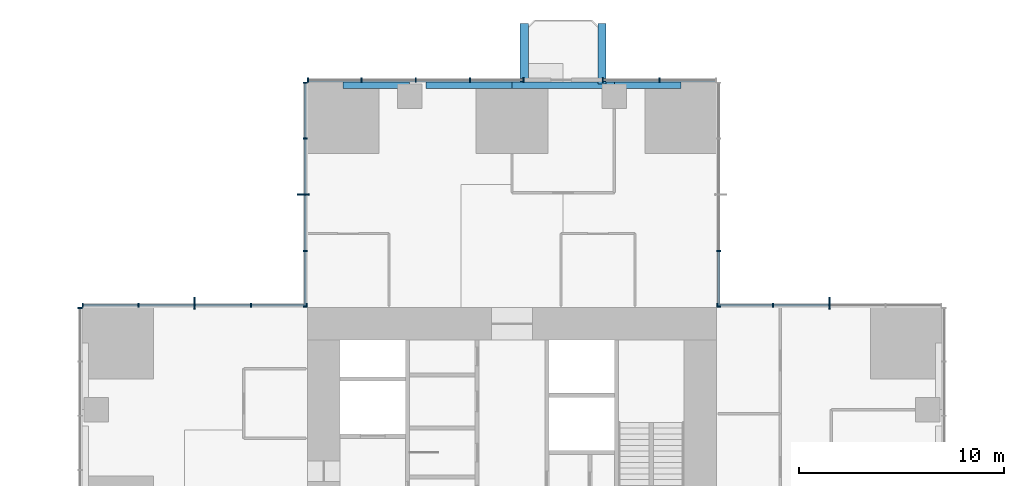
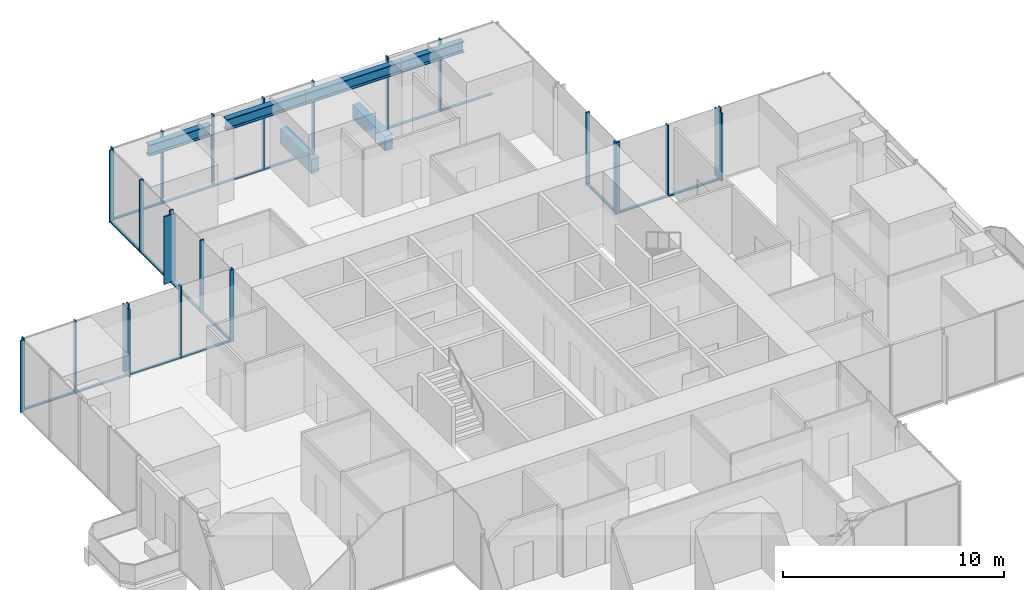
# One storey, part 5 of 13: 43 members, 6 beams, 7 elements without a shape of their own.
"""IFC4 building model written with IfcOpenShell, lengths in metres."""

import ifcopenshell
import ifcopenshell.guid

model = None  # the IFC model being written
_history = None  # IfcOwnerHistory: only IFC2X3 demands one
_inside = {}  # id of a spatial element -> (the spatial element, [elements in it])
_under = {}  # id of a project, library or spatial element -> (it, [spatial elements below it])
_declared = {}  # id of a project -> (the project, [libraries it declares])
_typed = {}  # id of a type object -> (the type object, [elements of that type])
_made_of = {}  # id of a material, layer set ... -> (it, [elements and type objects made of it])


def new_model(schema):
    """Start an empty IFC model of exactly this schema.

    Asked for "IFC4X3", IfcOpenShell would pick the latest addendum, in which some entities
    have other attributes; the version numbers below select the first issue.
    IFC2X3 requires an IfcOwnerHistory on every rooted entity: one is made here for all.
    """
    global model, _history
    if schema == "IFC4X3":
        model = ifcopenshell.file(schema_version=(4, 3, 0, 0))
    else:
        model = ifcopenshell.file(schema=schema)
    _inside.clear()
    _under.clear()
    _declared.clear()
    _typed.clear()
    _made_of.clear()
    _history = None
    if model.schema == "IFC2X3":
        org = make("IfcOrganization", Name="unknown")
        user = make(
            "IfcPersonAndOrganization",
            ThePerson=make("IfcPerson", FamilyName="unknown"),
            TheOrganization=org,
        )
        app = make(
            "IfcApplication",
            ApplicationDeveloper=org,
            Version="unknown",
            ApplicationFullName="unknown",
            ApplicationIdentifier="unknown",
        )
        _history = make(
            "IfcOwnerHistory",
            OwningUser=user,
            OwningApplication=app,
            ChangeAction="ADDED",
            CreationDate=0,
        )
    return model


def make(cls, **values):
    """One entity of the class cls with the attributes given. An attribute that is None is left unset."""
    return model.create_entity(
        cls, **{name: value for name, value in values.items() if value is not None}
    )


def rooted(cls, **values):
    """An entity with a GlobalId (a new one), such as an element, a storey or a relation."""
    return make(cls, GlobalId=ifcopenshell.guid.new(), OwnerHistory=_history, **values)


def si_unit(unit_type, name, prefix=None):
    """IfcSIUnit, for example si_unit("LENGTHUNIT", "METRE", prefix="MILLI")."""
    return make("IfcSIUnit", UnitType=unit_type, Prefix=prefix, Name=name)


def assignment(units):
    """IfcUnitAssignment: the units of a project."""
    return None if units is None else make("IfcUnitAssignment", Units=units)


def point(xyz):
    """IfcCartesianPoint."""
    return None if xyz is None else make("IfcCartesianPoint", Coordinates=xyz)


def direction(xyz):
    """IfcDirection."""
    return None if xyz is None else make("IfcDirection", DirectionRatios=xyz)


def frame(location, z_axis=None, x_axis=None):
    """IfcAxis2Placement3D, a coordinate frame: its origin and axes. An axis left out is left unset."""
    return make(
        "IfcAxis2Placement3D",
        Location=point(location),
        Axis=direction(z_axis),
        RefDirection=direction(x_axis),
    )


def frame_2d(location, x_axis=None):
    """IfcAxis2Placement2D, a coordinate frame in the plane: its origin and x axis."""
    return make(
        "IfcAxis2Placement2D", Location=point(location), RefDirection=direction(x_axis)
    )


def origin():
    """The frame at (0, 0, 0) with its axes left unset."""
    return frame((0.0, 0.0, 0.0))


def origin_2d():
    """The frame at (0, 0) in the plane with its x axis left unset."""
    return frame_2d((0.0, 0.0))


def place(relative_to, where):
    """IfcLocalPlacement: puts the frame where relative to a parent placement (None: the world)."""
    return make(
        "IfcLocalPlacement", PlacementRelTo=relative_to, RelativePlacement=where
    )


def context(
    kind, dimensions, precision=None, world=None, true_north=None, identifier=None
):
    """IfcGeometricRepresentationContext, for example the 3D "Model" context."""
    return make(
        "IfcGeometricRepresentationContext",
        ContextIdentifier=identifier,
        ContextType=kind,
        CoordinateSpaceDimension=dimensions,
        Precision=precision,
        WorldCoordinateSystem=world,
        TrueNorth=true_north,
    )


def subcontext(parent, identifier, kind, view, scale=None):
    """IfcGeometricRepresentationSubContext, for example "Body" below "Model"."""
    return make(
        "IfcGeometricRepresentationSubContext",
        ContextIdentifier=identifier,
        ContextType=kind,
        ParentContext=parent,
        TargetScale=scale,
        TargetView=view,
    )


def project(units=None, contexts=None):
    """IfcProject with its units and contexts."""
    return rooted(
        "IfcProject",
        Name="project",
        RepresentationContexts=contexts,
        UnitsInContext=assignment(units),
    )


def spatial(cls, under=None, at=None, **own):
    """A site, building, storey or space (cls), placed at a placement, below another one or the project."""
    s = rooted(cls, ObjectPlacement=at, **own)
    if under is not None:
        _under.setdefault(under.id(), (under, []))[1].append(s)
    return s


def profile(cls, at=None, kind="AREA", **sizes):
    """A parametric profile (cls). Its sizes go by their IFC names, for example OverallWidth=200.0."""
    return make(cls, ProfileType=kind, Position=at, **sizes)


def rectangle(**sizes):
    """IfcRectangleProfileDef."""
    return profile("IfcRectangleProfileDef", **sizes)


def i_section(**sizes):
    """IfcIShapeProfileDef."""
    return profile("IfcIShapeProfileDef", **sizes)


def extrude(swept, where, along, depth):
    """IfcExtrudedAreaSolid: the profile swept, set in the frame where, extruded along a direction by depth."""
    return make(
        "IfcExtrudedAreaSolid",
        SweptArea=swept,
        Position=where,
        ExtrudedDirection=direction(along),
        Depth=depth,
    )


def shape(context_of_items, identifier, shape_type, items):
    """IfcShapeRepresentation: the items that make up one representation, for example the "Body"."""
    return make(
        "IfcShapeRepresentation",
        ContextOfItems=context_of_items,
        RepresentationIdentifier=identifier,
        RepresentationType=shape_type,
        Items=items,
    )


def material(Name=None, Category=None):
    """IfcMaterial."""
    return make("IfcMaterial", Name=Name, Category=Category)


def material_profile(
    of_material, cross_section, Name=None, Category=None, Priority=None
):
    """IfcMaterialProfile: a cross section and its material."""
    return make(
        "IfcMaterialProfile",
        Name=Name,
        Material=of_material,
        Profile=cross_section,
        Priority=Priority,
        Category=Category,
    )


def profile_set(profiles, Name=None, composite=None):
    """IfcMaterialProfileSet."""
    return make(
        "IfcMaterialProfileSet",
        Name=Name,
        MaterialProfiles=profiles,
        CompositeProfile=composite,
    )


def made_of(thing, what):
    """Note that an element or type object is made of a material, layer set ...; save() writes the relation."""
    if what is not None:
        _made_of.setdefault(what.id(), (what, []))[1].append(thing)
    return thing


def type_object(cls, material=None, **own):
    """A type object (cls), such as IfcWallType, which elements share."""
    return made_of(rooted(cls, **own), material)


def element(
    cls,
    number,
    at=None,
    inside=None,
    cuts=None,
    type_object=None,
    material=None,
    context=None,
    identifier="Body",
    shape_type=None,
    held_by="IfcProductDefinitionShape",
    body=None,
    shapes=None,
    **own,
):
    """One element of the class cls, such as IfcWall. Its Tag is "e" and its number.

    at: its placement. inside: the storey or other place that contains it. cuts: it is an
    opening in that element (IfcRelVoidsElement). A single representation is given by context,
    identifier, shape_type and body (its items); several are given by shapes. held_by: the class
    of the entity that holds the representations. save() writes the other relations.
    """
    e = rooted(cls, Tag="e%d" % number, ObjectPlacement=at, **own)
    if body is not None:
        shapes = [shape(context, identifier, shape_type, body)]
    if shapes is not None:
        e.Representation = make(held_by, Representations=shapes)
    if inside is not None:
        _inside.setdefault(inside.id(), (inside, []))[1].append(e)
    if cuts is not None:
        rooted(
            "IfcRelVoidsElement", RelatingBuildingElement=cuts, RelatedOpeningElement=e
        )
    if type_object is not None:
        _typed.setdefault(type_object.id(), (type_object, []))[1].append(e)
    return made_of(e, material)


def aggregate(whole, parts):
    """IfcRelAggregates: a whole, such as a stair, and the parts it consists of."""
    return rooted("IfcRelAggregates", RelatingObject=whole, RelatedObjects=parts)


def save(model, path):
    """Write the relations noted so far, then the file.

    IfcRelAggregates (storeys below a building ...), IfcRelContainedInSpatialStructure (elements
    in a storey), IfcRelDefinesByType, IfcRelAssociatesMaterial and IfcRelDeclares: one each for
    every whole, place, type object, material and project.
    """
    for whole, parts in _under.values():
        aggregate(whole, parts)
    for where, things in _inside.values():
        rooted(
            "IfcRelContainedInSpatialStructure",
            RelatedElements=things,
            RelatingStructure=where,
        )
    for kind, things in _typed.values():
        rooted("IfcRelDefinesByType", RelatedObjects=things, RelatingType=kind)
    for what, things in _made_of.values():
        rooted("IfcRelAssociatesMaterial", RelatedObjects=things, RelatingMaterial=what)
    for by, libraries in _declared.values():
        rooted("IfcRelDeclares", RelatingContext=by, RelatedDefinitions=libraries)
    model.write(path)


model = new_model("IFC4")

# Units and contexts
model_context = context("Model", 3, precision=1e-05, world=origin(), true_north=direction((0.0, 1.0)))
body_context = subcontext(model_context, "Body", "Model", "MODEL_VIEW")
ifc_project = project(units=[si_unit("LENGTHUNIT", "METRE"), si_unit("AREAUNIT", "SQUARE_METRE"), si_unit("VOLUMEUNIT", "CUBIC_METRE"), si_unit("PLANEANGLEUNIT", "RADIAN"), si_unit("MASSUNIT", "GRAM", prefix="KILO")], contexts=[model_context])

# Site, building, storey
site_placement = place(None, origin())
site = spatial("IfcSite", under=ifc_project, at=site_placement, CompositionType="ELEMENT")
building_placement = place(site_placement, origin())
building = spatial("IfcBuilding", under=site, at=building_placement, Name="Svetlomir Tower", CompositionType="ELEMENT")
storey_placement = place(building_placement, frame((0.0, 0.0, 96.5)))
storey = spatial("IfcBuildingStorey", under=building, at=storey_placement, Name="L22", CompositionType="ELEMENT", Elevation=96.5)

# Beams
ifc_material_1 = material(Name="Concrete C60/75", Category="concrete")
ifc_material_profile_1 = material_profile(ifc_material_1, rectangle(XDim=0.39990234375, YDim=0.800048828125, at=origin_2d()), Name="RC 400x800")
ifc_profile_set_1 = profile_set([ifc_material_profile_1], Name="Concrete C60/75")
beam_type_1 = type_object("IfcBeamType", Name="BALCONY RIB RC 400x800", PredefinedType="BEAM", material=ifc_profile_set_1)
beam_1_placement = place(storey_placement, frame((21.60009765625, 42.0, -0.64990234375), z_axis=(0.0, 1.0, 0.0), x_axis=(-1.0, 0.0, 0.0)))
element("IfcBeam", 1, at=beam_1_placement, inside=storey, type_object=beam_type_1, Name="Balcony rib N 1 L22", PredefinedType="BEAM", context=body_context, shape_type="SweptSolid", body=[
    extrude(rectangle(XDim=0.39990234375, YDim=0.800048828125, at=origin_2d()), origin(), (0.0, 0.0, 1.0), 2.85009765625),
])
beam_2_placement = place(storey_placement, frame((25.39990234375, 41.89990234375, -0.64990234375), z_axis=(0.0, 1.0, 0.0), x_axis=(-1.0, 0.0, 0.0)))
element("IfcBeam", 2, at=beam_2_placement, inside=storey, type_object=beam_type_1, Name="Balcony rib N 2 L22", PredefinedType="BEAM", context=body_context, shape_type="SweptSolid", body=[
    extrude(rectangle(XDim=0.39990234375, YDim=0.800048828125, at=origin_2d()), origin(), (0.0, 0.0, 1.0), 2.9501953125),
])

# Curtain wall, member
ifc_material_2 = material(Name="Bronze anodised aluminium curtain wall", Category="aluminium")
curtain_wall_type = type_object("IfcCurtainWallType", Name="CURTAIN WALL CW1 TOWER OFFICE", PredefinedType="NOTDEFINED", material=ifc_material_2)
curtain_wall_1_placement = place(storey_placement, origin())
curtain_wall_1 = element("IfcCurtainWall", 3, at=curtain_wall_1_placement, inside=storey, type_object=curtain_wall_type, Name="Curtain wall CW1 L22", PredefinedType="NOTDEFINED")
ifc_material_3 = material(Name="Bronze anodised aluminium", Category="aluminium")
ifc_material_profile_2 = material_profile(ifc_material_3, rectangle(XDim=0.080078125, YDim=0.60009765625, at=origin_2d()), Name="FIN 80x600")
ifc_profile_set_2 = profile_set([ifc_material_profile_2], Name="Bronze anodised aluminium 6063-T6")
member_type_1 = type_object("IfcMemberType", Name="BRONZE FIN 80x600", PredefinedType="USERDEFINED", material=ifc_profile_set_2)
member_1_placement = place(storey_placement, frame((36.5, 31.199951171875, 0.0), z_axis=(0.0, 0.0, 1.0), x_axis=(1.0, 0.0, 0.0)))
member_1 = element("IfcMember", 4, at=member_1_placement, type_object=member_type_1, Name="Bronze fin L22", ObjectType="FIN", PredefinedType="USERDEFINED", context=body_context, shape_type="SweptSolid", body=[
    extrude(rectangle(XDim=0.080078125, YDim=0.60009765625, at=origin_2d()), origin(), (0.0, 0.0, 1.0), 3.75),
])

curtain_wall_2_placement = place(storey_placement, origin())
curtain_wall_2 = element("IfcCurtainWall", 5, at=curtain_wall_2_placement, inside=storey, type_object=curtain_wall_type, Name="Curtain wall CW1 L22", PredefinedType="NOTDEFINED")
member_2_placement = place(storey_placement, frame((10.800048828125, 36.5, 0.0), z_axis=(0.0, 0.0, 1.0), x_axis=(0.0, 1.0, 0.0)))
member_2 = element("IfcMember", 6, at=member_2_placement, type_object=member_type_1, Name="Bronze fin L22", ObjectType="FIN", PredefinedType="USERDEFINED", context=body_context, shape_type="SweptSolid", body=[
    extrude(rectangle(XDim=0.080078125, YDim=0.60009765625, at=origin_2d()), origin(), (0.0, 0.0, 1.0), 3.75),
])

curtain_wall_3_placement = place(storey_placement, origin())
curtain_wall_3 = element("IfcCurtainWall", 7, at=curtain_wall_3_placement, inside=storey, type_object=curtain_wall_type, Name="Curtain wall CW1 L22", PredefinedType="NOTDEFINED")
member_3_placement = place(storey_placement, frame((5.5, 31.199951171875, 0.0), z_axis=(0.0, 0.0, 1.0), x_axis=(1.0, 0.0, 0.0)))
member_3 = element("IfcMember", 8, at=member_3_placement, type_object=member_type_1, Name="Bronze fin L22", ObjectType="FIN", PredefinedType="USERDEFINED", context=body_context, shape_type="SweptSolid", body=[
    extrude(rectangle(XDim=0.080078125, YDim=0.60009765625, at=origin_2d()), origin(), (0.0, 0.0, 1.0), 3.75),
])

# Member
ifc_material_4 = material(Name="Bronze anodised aluminium", Category="aluminium")
ifc_material_profile_3 = material_profile(ifc_material_4, rectangle(XDim=0.06494140625, YDim=0.199951171875, at=origin_2d()), Name="AL 65x200")
ifc_profile_set_3 = profile_set([ifc_material_profile_3], Name="Bronze anodised aluminium 6063-T6")
member_type_2 = type_object("IfcMemberType", Name="CW1 MULLION 65x200", PredefinedType="MULLION", material=ifc_profile_set_3)
member_4_placement = place(storey_placement, frame((36.5, 31.10009765625, 0.0), z_axis=(0.0, 0.0, 1.0), x_axis=(-1.0, 0.0, 0.0)))
member_4 = element("IfcMember", 9, at=member_4_placement, type_object=member_type_2, Name="CW1 mullion 3", PredefinedType="MULLION", context=body_context, shape_type="SweptSolid", body=[
    extrude(rectangle(XDim=0.06494140625, YDim=0.199951171875, at=origin_2d()), origin(), (0.0, 0.0, 1.0), 4.0),
])

member_5_placement = place(storey_placement, frame((33.75, 31.10009765625, 0.0), z_axis=(0.0, 0.0, 1.0), x_axis=(-1.0, 0.0, 0.0)))
member_5 = element("IfcMember", 10, at=member_5_placement, type_object=member_type_2, Name="CW1 mullion 4", PredefinedType="MULLION", context=body_context, shape_type="SweptSolid", body=[
    extrude(rectangle(XDim=0.06494140625, YDim=0.199951171875, at=origin_2d()), origin(), (0.0, 0.0, 1.0), 4.0),
])

member_6_placement = place(storey_placement, frame((31.032470703125, 31.10009765625, 0.0), z_axis=(0.0, 0.0, 1.0), x_axis=(-1.0, 0.0, 0.0)))
member_6 = element("IfcMember", 11, at=member_6_placement, type_object=member_type_2, Name="CW1 mullion 5", PredefinedType="MULLION", context=body_context, shape_type="SweptSolid", body=[
    extrude(rectangle(XDim=0.06494140625, YDim=0.199951171875, at=origin_2d()), origin(), (0.0, 0.0, 1.0), 4.0),
])

# Curtain wall, members
curtain_wall_4_placement = place(storey_placement, origin())
curtain_wall_4 = element("IfcCurtainWall", 12, at=curtain_wall_4_placement, inside=storey, type_object=curtain_wall_type, Name="Curtain wall CW1 L22", PredefinedType="NOTDEFINED")
member_7_placement = place(storey_placement, frame((31.10009765625, 31.032470703125, 0.0), z_axis=(0.0, 0.0, 1.0), x_axis=(0.0, 1.0, 0.0)))
member_7 = element("IfcMember", 13, at=member_7_placement, type_object=member_type_2, Name="CW1 mullion 1", PredefinedType="MULLION", context=body_context, shape_type="SweptSolid", body=[
    extrude(rectangle(XDim=0.06494140625, YDim=0.199951171875, at=origin_2d()), origin(), (0.0, 0.0, 1.0), 4.0),
])
member_8_placement = place(storey_placement, frame((31.10009765625, 33.75, 0.0), z_axis=(0.0, 0.0, 1.0), x_axis=(0.0, 1.0, 0.0)))
member_8 = element("IfcMember", 14, at=member_8_placement, type_object=member_type_2, Name="CW1 mullion 2", PredefinedType="MULLION", context=body_context, shape_type="SweptSolid", body=[
    extrude(rectangle(XDim=0.06494140625, YDim=0.199951171875, at=origin_2d()), origin(), (0.0, 0.0, 1.0), 4.0),
])

curtain_wall_5_placement = place(storey_placement, origin())
curtain_wall_5 = element("IfcCurtainWall", 15, at=curtain_wall_5_placement, inside=storey, type_object=curtain_wall_type, Name="Curtain wall CW1 L22", PredefinedType="NOTDEFINED")
member_9_placement = place(storey_placement, frame((28.199951171875, 42.10009765625, 0.0), z_axis=(0.0, 0.0, 1.0), x_axis=(-1.0, 0.0, 0.0)))
member_9 = element("IfcMember", 16, at=member_9_placement, type_object=member_type_2, Name="CW1 mullion 2", PredefinedType="MULLION", context=body_context, shape_type="SweptSolid", body=[
    extrude(rectangle(XDim=0.06494140625, YDim=0.199951171875, at=origin_2d()), origin(), (0.0, 0.0, 1.0), 4.0),
])
member_10_placement = place(storey_placement, frame((25.4326171875, 42.10009765625, 0.0), z_axis=(0.0, 0.0, 1.0), x_axis=(-1.0, 0.0, 0.0)))
member_10 = element("IfcMember", 17, at=member_10_placement, type_object=member_type_2, Name="CW1 mullion 3", PredefinedType="MULLION", context=body_context, shape_type="SweptSolid", body=[
    extrude(rectangle(XDim=0.06494140625, YDim=0.199951171875, at=origin_2d()), origin(), (0.0, 0.0, 1.0), 4.0),
])

curtain_wall_6_placement = place(storey_placement, origin())
curtain_wall_6 = element("IfcCurtainWall", 18, at=curtain_wall_6_placement, inside=storey, type_object=curtain_wall_type, Name="Curtain wall CW1 L22", PredefinedType="NOTDEFINED")
member_11_placement = place(storey_placement, frame((21.5673828125, 42.10009765625, 0.0), z_axis=(0.0, 0.0, 1.0), x_axis=(-1.0, 0.0, 0.0)))
member_11 = element("IfcMember", 19, at=member_11_placement, type_object=member_type_2, Name="CW1 mullion 1", PredefinedType="MULLION", context=body_context, shape_type="SweptSolid", body=[
    extrude(rectangle(XDim=0.06494140625, YDim=0.199951171875, at=origin_2d()), origin(), (0.0, 0.0, 1.0), 4.0),
])
member_12_placement = place(storey_placement, frame((18.949951171875, 42.10009765625, 0.0), z_axis=(0.0, 0.0, 1.0), x_axis=(-1.0, 0.0, 0.0)))
member_12 = element("IfcMember", 20, at=member_12_placement, type_object=member_type_2, Name="CW1 mullion 2", PredefinedType="MULLION", context=body_context, shape_type="SweptSolid", body=[
    extrude(rectangle(XDim=0.06494140625, YDim=0.199951171875, at=origin_2d()), origin(), (0.0, 0.0, 1.0), 4.0),
])
member_13_placement = place(storey_placement, frame((16.300048828125, 42.10009765625, 0.0), z_axis=(0.0, 0.0, 1.0), x_axis=(-1.0, 0.0, 0.0)))
member_13 = element("IfcMember", 21, at=member_13_placement, type_object=member_type_2, Name="CW1 mullion 3", PredefinedType="MULLION", context=body_context, shape_type="SweptSolid", body=[
    extrude(rectangle(XDim=0.06494140625, YDim=0.199951171875, at=origin_2d()), origin(), (0.0, 0.0, 1.0), 4.0),
])
member_14_placement = place(storey_placement, frame((13.64990234375, 42.10009765625, 0.0), z_axis=(0.0, 0.0, 1.0), x_axis=(-1.0, 0.0, 0.0)))
member_14 = element("IfcMember", 22, at=member_14_placement, type_object=member_type_2, Name="CW1 mullion 4", PredefinedType="MULLION", context=body_context, shape_type="SweptSolid", body=[
    extrude(rectangle(XDim=0.06494140625, YDim=0.199951171875, at=origin_2d()), origin(), (0.0, 0.0, 1.0), 4.0),
])
member_15_placement = place(storey_placement, frame((11.032470703125, 42.10009765625, 0.0), z_axis=(0.0, 0.0, 1.0), x_axis=(-1.0, 0.0, 0.0)))
member_15 = element("IfcMember", 23, at=member_15_placement, type_object=member_type_2, Name="CW1 mullion 5", PredefinedType="MULLION", context=body_context, shape_type="SweptSolid", body=[
    extrude(rectangle(XDim=0.06494140625, YDim=0.199951171875, at=origin_2d()), origin(), (0.0, 0.0, 1.0), 4.0),
])

# Member
member_16_placement = place(storey_placement, frame((10.89990234375, 41.967529296875, 0.0), z_axis=(0.0, 0.0, 1.0), x_axis=(0.0, -1.0, 0.0)))
member_16 = element("IfcMember", 24, at=member_16_placement, type_object=member_type_2, Name="CW1 mullion 1", PredefinedType="MULLION", context=body_context, shape_type="SweptSolid", body=[
    extrude(rectangle(XDim=0.06494140625, YDim=0.199951171875, at=origin_2d()), origin(), (0.0, 0.0, 1.0), 4.0),
])

member_17_placement = place(storey_placement, frame((10.89990234375, 39.25, 0.0), z_axis=(0.0, 0.0, 1.0), x_axis=(0.0, -1.0, 0.0)))
member_17 = element("IfcMember", 25, at=member_17_placement, type_object=member_type_2, Name="CW1 mullion 2", PredefinedType="MULLION", context=body_context, shape_type="SweptSolid", body=[
    extrude(rectangle(XDim=0.06494140625, YDim=0.199951171875, at=origin_2d()), origin(), (0.0, 0.0, 1.0), 4.0),
])

member_18_placement = place(storey_placement, frame((10.89990234375, 36.5, 0.0), z_axis=(0.0, 0.0, 1.0), x_axis=(0.0, -1.0, 0.0)))
member_18 = element("IfcMember", 26, at=member_18_placement, type_object=member_type_2, Name="CW1 mullion 3", PredefinedType="MULLION", context=body_context, shape_type="SweptSolid", body=[
    extrude(rectangle(XDim=0.06494140625, YDim=0.199951171875, at=origin_2d()), origin(), (0.0, 0.0, 1.0), 4.0),
])

member_19_placement = place(storey_placement, frame((10.89990234375, 33.75, 0.0), z_axis=(0.0, 0.0, 1.0), x_axis=(0.0, -1.0, 0.0)))
member_19 = element("IfcMember", 27, at=member_19_placement, type_object=member_type_2, Name="CW1 mullion 4", PredefinedType="MULLION", context=body_context, shape_type="SweptSolid", body=[
    extrude(rectangle(XDim=0.06494140625, YDim=0.199951171875, at=origin_2d()), origin(), (0.0, 0.0, 1.0), 4.0),
])

member_20_placement = place(storey_placement, frame((10.89990234375, 31.032470703125, 0.0), z_axis=(0.0, 0.0, 1.0), x_axis=(0.0, -1.0, 0.0)))
member_20 = element("IfcMember", 28, at=member_20_placement, type_object=member_type_2, Name="CW1 mullion 5", PredefinedType="MULLION", context=body_context, shape_type="SweptSolid", body=[
    extrude(rectangle(XDim=0.06494140625, YDim=0.199951171875, at=origin_2d()), origin(), (0.0, 0.0, 1.0), 4.0),
])

member_21_placement = place(storey_placement, frame((10.967529296875, 31.10009765625, 0.0), z_axis=(0.0, 0.0, 1.0), x_axis=(-1.0, 0.0, 0.0)))
member_21 = element("IfcMember", 29, at=member_21_placement, type_object=member_type_2, Name="CW1 mullion 1", PredefinedType="MULLION", context=body_context, shape_type="SweptSolid", body=[
    extrude(rectangle(XDim=0.06494140625, YDim=0.199951171875, at=origin_2d()), origin(), (0.0, 0.0, 1.0), 4.0),
])

member_22_placement = place(storey_placement, frame((8.25, 31.10009765625, 0.0), z_axis=(0.0, 0.0, 1.0), x_axis=(-1.0, 0.0, 0.0)))
member_22 = element("IfcMember", 30, at=member_22_placement, type_object=member_type_2, Name="CW1 mullion 2", PredefinedType="MULLION", context=body_context, shape_type="SweptSolid", body=[
    extrude(rectangle(XDim=0.06494140625, YDim=0.199951171875, at=origin_2d()), origin(), (0.0, 0.0, 1.0), 4.0),
])

member_23_placement = place(storey_placement, frame((5.5, 31.10009765625, 0.0), z_axis=(0.0, 0.0, 1.0), x_axis=(-1.0, 0.0, 0.0)))
member_23 = element("IfcMember", 31, at=member_23_placement, type_object=member_type_2, Name="CW1 mullion 3", PredefinedType="MULLION", context=body_context, shape_type="SweptSolid", body=[
    extrude(rectangle(XDim=0.06494140625, YDim=0.199951171875, at=origin_2d()), origin(), (0.0, 0.0, 1.0), 4.0),
])

member_24_placement = place(storey_placement, frame((2.75, 31.10009765625, 0.0), z_axis=(0.0, 0.0, 1.0), x_axis=(-1.0, 0.0, 0.0)))
member_24 = element("IfcMember", 32, at=member_24_placement, type_object=member_type_2, Name="CW1 mullion 4", PredefinedType="MULLION", context=body_context, shape_type="SweptSolid", body=[
    extrude(rectangle(XDim=0.06494140625, YDim=0.199951171875, at=origin_2d()), origin(), (0.0, 0.0, 1.0), 4.0),
])

member_25_placement = place(storey_placement, frame((0.032470703125, 31.10009765625, 0.0), z_axis=(0.0, 0.0, 1.0), x_axis=(-1.0, 0.0, 0.0)))
member_25 = element("IfcMember", 33, at=member_25_placement, type_object=member_type_2, Name="CW1 mullion 5", PredefinedType="MULLION", context=body_context, shape_type="SweptSolid", body=[
    extrude(rectangle(XDim=0.06494140625, YDim=0.199951171875, at=origin_2d()), origin(), (0.0, 0.0, 1.0), 4.0),
])

# Curtain wall, member
curtain_wall_7_placement = place(storey_placement, origin())
curtain_wall_7 = element("IfcCurtainWall", 34, at=curtain_wall_7_placement, inside=storey, type_object=curtain_wall_type, Name="Curtain wall CW1 L22", PredefinedType="NOTDEFINED")
member_26_placement = place(storey_placement, frame((-0.10009765625, 30.967529296875, 0.0), z_axis=(0.0, 0.0, 1.0), x_axis=(0.0, -1.0, 0.0)))
member_26 = element("IfcMember", 35, at=member_26_placement, type_object=member_type_2, Name="CW1 mullion 1", PredefinedType="MULLION", context=body_context, shape_type="SweptSolid", body=[
    extrude(rectangle(XDim=0.06494140625, YDim=0.199951171875, at=origin_2d()), origin(), (0.0, 0.0, 1.0), 4.0),
])
aggregate(curtain_wall_7, [member_26])

# Member
ifc_material_5 = material(Name="Bronze anodised aluminium", Category="aluminium")
ifc_material_profile_4 = material_profile(ifc_material_5, rectangle(XDim=0.139892578125, YDim=0.06494140625, at=origin_2d()), Name="AL 140x65")
ifc_profile_set_4 = profile_set([ifc_material_profile_4], Name="Bronze anodised aluminium 6063-T6")
member_type_3 = type_object("IfcMemberType", Name="CW1 TRANSOM 65x140", PredefinedType="USERDEFINED", material=ifc_profile_set_4)
member_27_placement = place(storey_placement, frame((36.467529296875, 31.10009765625, 0.032470703125), z_axis=(-1.0, 0.0, 0.0), x_axis=(0.0, -1.0, 0.0)))
member_27 = element("IfcMember", 36, at=member_27_placement, type_object=member_type_3, Name="CW1 transom 3.1", ObjectType="TRANSOM", PredefinedType="USERDEFINED", context=body_context, shape_type="SweptSolid", body=[
    extrude(rectangle(XDim=0.139892578125, YDim=0.06494140625, at=origin_2d()), origin(), (0.0, 0.0, 1.0), 2.68505859375),
])

member_28_placement = place(storey_placement, frame((33.717529296875, 31.10009765625, 0.032470703125), z_axis=(-1.0, 0.0, 0.0), x_axis=(0.0, -1.0, 0.0)))
member_28 = element("IfcMember", 37, at=member_28_placement, type_object=member_type_3, Name="CW1 transom 4.1", ObjectType="TRANSOM", PredefinedType="USERDEFINED", context=body_context, shape_type="SweptSolid", body=[
    extrude(rectangle(XDim=0.139892578125, YDim=0.06494140625, at=origin_2d()), origin(), (0.0, 0.0, 1.0), 2.652587890625),
])

aggregate(curtain_wall_1, [member_4, member_5, member_6, member_27, member_28, member_1])

member_29_placement = place(storey_placement, frame((31.10009765625, 31.06494140625, 0.032470703125), z_axis=(0.0, 1.0, 0.0), x_axis=(-1.0, 0.0, 0.0)))
member_29 = element("IfcMember", 38, at=member_29_placement, type_object=member_type_3, Name="CW1 transom 1.1", ObjectType="TRANSOM", PredefinedType="USERDEFINED", context=body_context, shape_type="SweptSolid", body=[
    extrude(rectangle(XDim=0.139892578125, YDim=0.06494140625, at=origin_2d()), origin(), (0.0, 0.0, 1.0), 2.652587890625),
])

aggregate(curtain_wall_4, [member_7, member_8, member_29])

member_30_placement = place(storey_placement, frame((30.93505859375, 42.10009765625, 0.032470703125), z_axis=(-1.0, 0.0, 0.0), x_axis=(0.0, -1.0, 0.0)))
member_30 = element("IfcMember", 39, at=member_30_placement, type_object=member_type_3, Name="CW1 transom 1.1", ObjectType="TRANSOM", PredefinedType="USERDEFINED", context=body_context, shape_type="SweptSolid", body=[
    extrude(rectangle(XDim=0.139892578125, YDim=0.06494140625, at=origin_2d()), origin(), (0.0, 0.0, 1.0), 2.70263671875),
])

member_31_placement = place(storey_placement, frame((28.16748046875, 42.10009765625, 0.032470703125), z_axis=(-1.0, 0.0, 0.0), x_axis=(0.0, -1.0, 0.0)))
member_31 = element("IfcMember", 40, at=member_31_placement, type_object=member_type_3, Name="CW1 transom 2.1", ObjectType="TRANSOM", PredefinedType="USERDEFINED", context=body_context, shape_type="SweptSolid", body=[
    extrude(rectangle(XDim=0.139892578125, YDim=0.06494140625, at=origin_2d()), origin(), (0.0, 0.0, 1.0), 2.702392578125),
])

aggregate(curtain_wall_5, [member_9, member_10, member_30, member_31])

member_32_placement = place(storey_placement, frame((21.534912109375, 42.10009765625, 0.032470703125), z_axis=(-1.0, 0.0, 0.0), x_axis=(0.0, -1.0, 0.0)))
member_32 = element("IfcMember", 41, at=member_32_placement, type_object=member_type_3, Name="CW1 transom 1.1", ObjectType="TRANSOM", PredefinedType="USERDEFINED", context=body_context, shape_type="SweptSolid", body=[
    extrude(rectangle(XDim=0.139892578125, YDim=0.06494140625, at=origin_2d()), origin(), (0.0, 0.0, 1.0), 2.552490234375),
])

member_33_placement = place(storey_placement, frame((18.91748046875, 42.10009765625, 0.032470703125), z_axis=(-1.0, 0.0, 0.0), x_axis=(0.0, -1.0, 0.0)))
member_33 = element("IfcMember", 42, at=member_33_placement, type_object=member_type_3, Name="CW1 transom 2.1", ObjectType="TRANSOM", PredefinedType="USERDEFINED", context=body_context, shape_type="SweptSolid", body=[
    extrude(rectangle(XDim=0.139892578125, YDim=0.06494140625, at=origin_2d()), origin(), (0.0, 0.0, 1.0), 2.5849609375),
])

member_34_placement = place(storey_placement, frame((16.267578125, 42.10009765625, 0.032470703125), z_axis=(-1.0, 0.0, 0.0), x_axis=(0.0, -1.0, 0.0)))
member_34 = element("IfcMember", 43, at=member_34_placement, type_object=member_type_3, Name="CW1 transom 3.1", ObjectType="TRANSOM", PredefinedType="USERDEFINED", context=body_context, shape_type="SweptSolid", body=[
    extrude(rectangle(XDim=0.139892578125, YDim=0.06494140625, at=origin_2d()), origin(), (0.0, 0.0, 1.0), 2.5849609375),
])

member_35_placement = place(storey_placement, frame((13.617431640625, 42.10009765625, 0.032470703125), z_axis=(-1.0, 0.0, 0.0), x_axis=(0.0, -1.0, 0.0)))
member_35 = element("IfcMember", 44, at=member_35_placement, type_object=member_type_3, Name="CW1 transom 4.1", ObjectType="TRANSOM", PredefinedType="USERDEFINED", context=body_context, shape_type="SweptSolid", body=[
    extrude(rectangle(XDim=0.139892578125, YDim=0.06494140625, at=origin_2d()), origin(), (0.0, 0.0, 1.0), 2.552490234375),
])

aggregate(curtain_wall_6, [member_11, member_12, member_13, member_14, member_15, member_32, member_33, member_34, member_35])

member_36_placement = place(storey_placement, frame((10.89990234375, 41.93505859375, 0.032470703125), z_axis=(0.0, -1.0, 0.0), x_axis=(1.0, 0.0, 0.0)))
member_36 = element("IfcMember", 45, at=member_36_placement, type_object=member_type_3, Name="CW1 transom 1.1", ObjectType="TRANSOM", PredefinedType="USERDEFINED", context=body_context, shape_type="SweptSolid", body=[
    extrude(rectangle(XDim=0.139892578125, YDim=0.06494140625, at=origin_2d()), origin(), (0.0, 0.0, 1.0), 2.652587890625),
])

member_37_placement = place(storey_placement, frame((10.89990234375, 39.217529296875, 0.032470703125), z_axis=(0.0, -1.0, 0.0), x_axis=(1.0, 0.0, 0.0)))
member_37 = element("IfcMember", 46, at=member_37_placement, type_object=member_type_3, Name="CW1 transom 2.1", ObjectType="TRANSOM", PredefinedType="USERDEFINED", context=body_context, shape_type="SweptSolid", body=[
    extrude(rectangle(XDim=0.139892578125, YDim=0.06494140625, at=origin_2d()), origin(), (0.0, 0.0, 1.0), 2.68505859375),
])

member_38_placement = place(storey_placement, frame((10.89990234375, 36.467529296875, 0.032470703125), z_axis=(0.0, -1.0, 0.0), x_axis=(1.0, 0.0, 0.0)))
member_38 = element("IfcMember", 47, at=member_38_placement, type_object=member_type_3, Name="CW1 transom 3.1", ObjectType="TRANSOM", PredefinedType="USERDEFINED", context=body_context, shape_type="SweptSolid", body=[
    extrude(rectangle(XDim=0.139892578125, YDim=0.06494140625, at=origin_2d()), origin(), (0.0, 0.0, 1.0), 2.68505859375),
])

member_39_placement = place(storey_placement, frame((10.89990234375, 33.717529296875, 0.032470703125), z_axis=(0.0, -1.0, 0.0), x_axis=(1.0, 0.0, 0.0)))
member_39 = element("IfcMember", 48, at=member_39_placement, type_object=member_type_3, Name="CW1 transom 4.1", ObjectType="TRANSOM", PredefinedType="USERDEFINED", context=body_context, shape_type="SweptSolid", body=[
    extrude(rectangle(XDim=0.139892578125, YDim=0.06494140625, at=origin_2d()), origin(), (0.0, 0.0, 1.0), 2.652587890625),
])

aggregate(curtain_wall_2, [member_16, member_17, member_18, member_19, member_20, member_36, member_37, member_38, member_39, member_2])

member_40_placement = place(storey_placement, frame((10.93505859375, 31.10009765625, 0.032470703125), z_axis=(-1.0, 0.0, 0.0), x_axis=(0.0, -1.0, 0.0)))
member_40 = element("IfcMember", 49, at=member_40_placement, type_object=member_type_3, Name="CW1 transom 1.1", ObjectType="TRANSOM", PredefinedType="USERDEFINED", context=body_context, shape_type="SweptSolid", body=[
    extrude(rectangle(XDim=0.139892578125, YDim=0.06494140625, at=origin_2d()), origin(), (0.0, 0.0, 1.0), 2.652587890625),
])

member_41_placement = place(storey_placement, frame((8.217529296875, 31.10009765625, 0.032470703125), z_axis=(-1.0, 0.0, 0.0), x_axis=(0.0, -1.0, 0.0)))
member_41 = element("IfcMember", 50, at=member_41_placement, type_object=member_type_3, Name="CW1 transom 2.1", ObjectType="TRANSOM", PredefinedType="USERDEFINED", context=body_context, shape_type="SweptSolid", body=[
    extrude(rectangle(XDim=0.139892578125, YDim=0.06494140625, at=origin_2d()), origin(), (0.0, 0.0, 1.0), 2.68505859375),
])

member_42_placement = place(storey_placement, frame((5.467529296875, 31.10009765625, 0.032470703125), z_axis=(-1.0, 0.0, 0.0), x_axis=(0.0, -1.0, 0.0)))
member_42 = element("IfcMember", 51, at=member_42_placement, type_object=member_type_3, Name="CW1 transom 3.1", ObjectType="TRANSOM", PredefinedType="USERDEFINED", context=body_context, shape_type="SweptSolid", body=[
    extrude(rectangle(XDim=0.139892578125, YDim=0.06494140625, at=origin_2d()), origin(), (0.0, 0.0, 1.0), 2.68505859375),
])

member_43_placement = place(storey_placement, frame((2.717529296875, 31.10009765625, 0.032470703125), z_axis=(-1.0, 0.0, 0.0), x_axis=(0.0, -1.0, 0.0)))
member_43 = element("IfcMember", 52, at=member_43_placement, type_object=member_type_3, Name="CW1 transom 4.1", ObjectType="TRANSOM", PredefinedType="USERDEFINED", context=body_context, shape_type="SweptSolid", body=[
    extrude(rectangle(XDim=0.139892578125, YDim=0.06494140625, at=origin_2d()), origin(), (0.0, 0.0, 1.0), 2.652587890625),
])

aggregate(curtain_wall_3, [member_21, member_22, member_23, member_24, member_25, member_40, member_41, member_42, member_43, member_3])

# Beams
ifc_material_6 = material(Name="Steel S355", Category="steel")
ifc_material_profile_5 = material_profile(ifc_material_6, i_section(OverallWidth=0.304931640625, OverallDepth=0.6201171875, WebThickness=0.02099609375, FlangeThickness=0.0400390625, FilletRadius=0.027099609375, at=origin_2d()), Name="HEM 600")
ifc_profile_set_5 = profile_set([ifc_material_profile_5], Name="Steel S355")
beam_type_2 = type_object("IfcBeamType", Name="EDGE BEAM HEM 600", PredefinedType="SPANDREL", material=ifc_profile_set_5)
beam_3_placement = place(storey_placement, frame((12.75, 41.847412109375, 3.43994140625), z_axis=(1.0, 0.0, 0.0), x_axis=(0.0, 1.0, 0.0)))
element("IfcBeam", 53, at=beam_3_placement, inside=storey, type_object=beam_type_2, Name="Edge beam 11/42 to 16/42 under L23", PredefinedType="SPANDREL", context=body_context, shape_type="SweptSolid", body=[
    extrude(i_section(OverallWidth=0.304931640625, OverallDepth=0.6201171875, WebThickness=0.02099609375, FlangeThickness=0.0400390625, FilletRadius=0.027099609375, at=origin_2d()), origin(), (0.0, 0.0, 1.0), 3.25),
])
beam_4_placement = place(storey_placement, frame((16.800048828125, 41.847412109375, 3.43994140625), z_axis=(1.0, 0.0, 0.0), x_axis=(0.0, 1.0, 0.0)))
element("IfcBeam", 54, at=beam_4_placement, inside=storey, type_object=beam_type_2, Name="Edge beam 16/42 to 21/42 under L23", PredefinedType="SPANDREL", context=body_context, shape_type="SweptSolid", body=[
    extrude(i_section(OverallWidth=0.304931640625, OverallDepth=0.6201171875, WebThickness=0.02099609375, FlangeThickness=0.0400390625, FilletRadius=0.027099609375, at=origin_2d()), origin(), (0.0, 0.0, 1.0), 4.199951171875),
])
beam_5_placement = place(storey_placement, frame((21.0, 41.847412109375, 3.43994140625), z_axis=(1.0, 0.0, 0.0), x_axis=(0.0, 1.0, 0.0)))
element("IfcBeam", 55, at=beam_5_placement, inside=storey, type_object=beam_type_2, Name="Edge beam 21/42 to 26/42 under L23", PredefinedType="SPANDREL", context=body_context, shape_type="SweptSolid", body=[
    extrude(i_section(OverallWidth=0.304931640625, OverallDepth=0.6201171875, WebThickness=0.02099609375, FlangeThickness=0.0400390625, FilletRadius=0.027099609375, at=origin_2d()), origin(), (0.0, 0.0, 1.0), 5.0),
])
beam_6_placement = place(storey_placement, frame((26.0, 41.847412109375, 3.43994140625), z_axis=(1.0, 0.0, 0.0), x_axis=(0.0, 1.0, 0.0)))
element("IfcBeam", 56, at=beam_6_placement, inside=storey, type_object=beam_type_2, Name="Edge beam 26/42 to 31/42 under L23", PredefinedType="SPANDREL", context=body_context, shape_type="SweptSolid", body=[
    extrude(i_section(OverallWidth=0.304931640625, OverallDepth=0.6201171875, WebThickness=0.02099609375, FlangeThickness=0.0400390625, FilletRadius=0.027099609375, at=origin_2d()), origin(), (0.0, 0.0, 1.0), 3.25),
])

save(model, "model.ifc")
